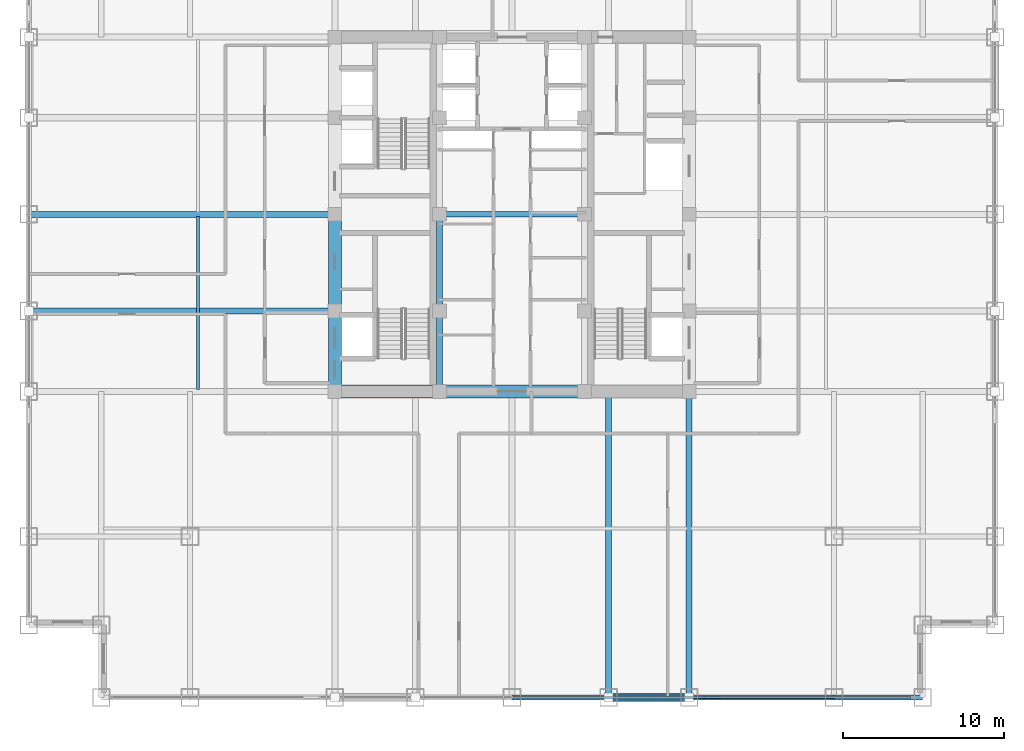
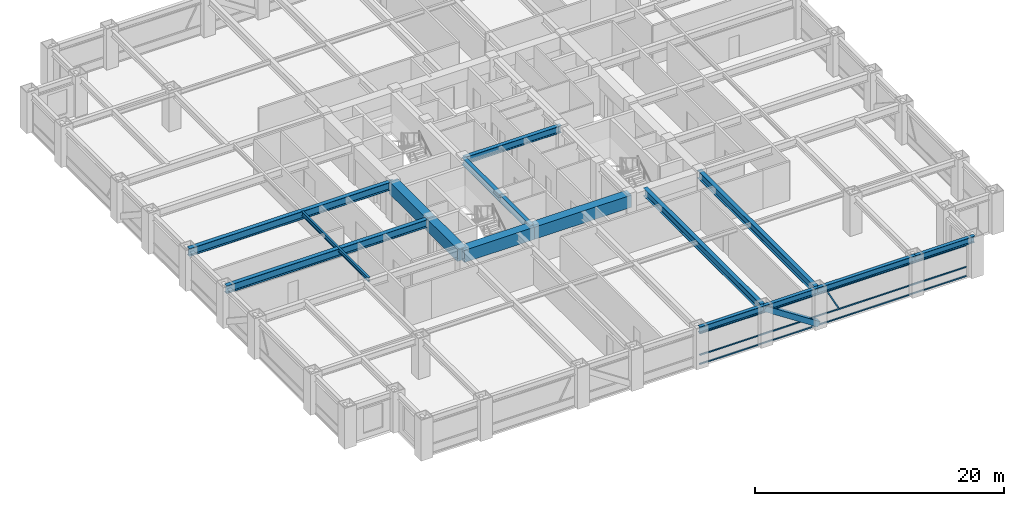
# One storey, part 7 of 24: 16 beams, 5 members, 1 element without a shape of its own.
"""IFC4 building model written with IfcOpenShell, lengths in metres."""

from ifc_helpers import new_model, si_unit, direction, frame, origin, origin_2d, place, context, subcontext, project, spatial, rectangle, hollow_rectangle, i_section, extrude, source, transform, mapped, material, material_profile, profile_set, type_object, element, aggregate, save


model = new_model("IFC4")

# Units and contexts
model_context = context("Model", 3, precision=1e-05, world=origin(), true_north=direction((0.0, 1.0)))
body_context = subcontext(model_context, "Body", "Model", "MODEL_VIEW")
ifc_project = project(units=[si_unit("LENGTHUNIT", "METRE"), si_unit("AREAUNIT", "SQUARE_METRE"), si_unit("VOLUMEUNIT", "CUBIC_METRE"), si_unit("PLANEANGLEUNIT", "RADIAN"), si_unit("MASSUNIT", "GRAM", prefix="KILO")], contexts=[model_context])

# Site, building, storey
site_placement = place(None, origin())
site = spatial("IfcSite", under=ifc_project, at=site_placement, CompositionType="ELEMENT")
building_placement = place(site_placement, origin())
building = spatial("IfcBuilding", under=site, at=building_placement, Name="Khorayat Bourse Tower", CompositionType="ELEMENT")
storey_placement = place(building_placement, frame((0.0, 0.0, 167.10009765625)))
storey = spatial("IfcBuildingStorey", under=building, at=storey_placement, Name="L38", CompositionType="ELEMENT", Elevation=167.10009765625)

# Beams
ifc_material_1 = material(Name="Concrete C72/90", Category="concrete")
ifc_material_profile_1 = material_profile(ifc_material_1, rectangle(XDim=0.800048828125, YDim=1.199951171875, at=origin_2d()), Name="RC 800x1200")
ifc_profile_set_1 = profile_set([ifc_material_profile_1], Name="Concrete C72/90")
beam_type_1 = type_object("IfcBeamType", Name="BM-COUP-1200", PredefinedType="BEAM", material=ifc_profile_set_1)
shared_shape_1 = source(origin(), body_context, "Body", "SweptSolid", [
    extrude(rectangle(XDim=0.800048828125, YDim=1.199951171875, at=origin_2d()), origin(), (0.0, 0.0, 1.0), 5.0),
])
beam_1_placement = place(storey_placement, frame((-11.0, -11.0, 3.179931640625), z_axis=(0.0, 1.0, 0.0), x_axis=(-1.0, 0.0, 0.0)))
element("IfcBeam", 1, at=beam_1_placement, inside=storey, type_object=beam_type_1, Name="L38 BM-COUP-1200 BM-L38-CRX-01", PredefinedType="BEAM", context=body_context, shape_type="MappedRepresentation", body=[
    mapped(shared_shape_1, transform((0.0, 0.0, 0.0), scale=1.0)),
])
shared_shape_2 = source(origin(), body_context, "Body", "SweptSolid", [
    extrude(rectangle(XDim=0.800048828125, YDim=1.199951171875, at=origin_2d()), origin(), (0.0, 0.0, 1.0), 6.0),
])
beam_2_placement = place(storey_placement, frame((-11.0, -6.0, 3.179931640625), z_axis=(0.0, 1.0, 0.0), x_axis=(-1.0, 0.0, 0.0)))
element("IfcBeam", 2, at=beam_2_placement, inside=storey, type_object=beam_type_1, Name="L38 BM-COUP-1200 BM-L38-CRX-02", PredefinedType="BEAM", context=body_context, shape_type="MappedRepresentation", body=[
    mapped(shared_shape_2, transform((0.0, 0.0, 0.0), scale=1.0)),
])
ifc_material_2 = material(Name="Steel ASTM A992 Grade 50", Category="steel")
ifc_material_profile_2 = material_profile(ifc_material_2, i_section(OverallWidth=0.35498046875, OverallDepth=0.695068359375, WebThickness=0.015380859375, FlangeThickness=0.02490234375, FilletRadius=0.01806640625, at=origin_2d()), Name="W690X217")
ifc_profile_set_2 = profile_set([ifc_material_profile_2], Name="Steel ASTM A992 Grade 50")
beam_type_2 = type_object("IfcBeamType", Name="BM-GIRD-690", PredefinedType="BEAM", material=ifc_profile_set_2)
shared_shape_3 = source(origin(), body_context, "Body", "SweptSolid", [
    extrude(i_section(OverallWidth=0.35498046875, OverallDepth=0.695068359375, WebThickness=0.015380859375, FlangeThickness=0.02490234375, FilletRadius=0.01806640625, at=origin_2d()), origin(), (0.0, 0.0, 1.0), 5.0),
])
beam_3_placement = place(storey_placement, frame((-4.5, -11.0, 3.432373046875), z_axis=(0.0, 1.0, 0.0), x_axis=(-1.0, 0.0, 0.0)))
element("IfcBeam", 3, at=beam_3_placement, inside=storey, type_object=beam_type_2, Name="L38 BM-GIRD-690 BM-L38-CRX-05", PredefinedType="BEAM", context=body_context, shape_type="MappedRepresentation", body=[
    mapped(shared_shape_3, transform((0.0, 0.0, 0.0), scale=1.0)),
])
shared_shape_4 = source(origin(), body_context, "Body", "SweptSolid", [
    extrude(i_section(OverallWidth=0.35498046875, OverallDepth=0.695068359375, WebThickness=0.015380859375, FlangeThickness=0.02490234375, FilletRadius=0.01806640625, at=origin_2d()), origin(), (0.0, 0.0, 1.0), 6.0),
])
beam_4_placement = place(storey_placement, frame((-4.5, -6.0, 3.432373046875), z_axis=(0.0, 1.0, 0.0), x_axis=(-1.0, 0.0, 0.0)))
element("IfcBeam", 4, at=beam_4_placement, inside=storey, type_object=beam_type_2, Name="L38 BM-GIRD-690 BM-L38-CRX-06", PredefinedType="BEAM", context=body_context, shape_type="MappedRepresentation", body=[
    mapped(shared_shape_4, transform((0.0, 0.0, 0.0), scale=1.0)),
])
shared_shape_5 = source(origin(), body_context, "Body", "SweptSolid", [
    extrude(rectangle(XDim=0.800048828125, YDim=1.199951171875, at=origin_2d()), origin(), (0.0, 0.0, 1.0), 6.5),
])
beam_5_placement = place(storey_placement, frame((-11.0, -11.0, 3.179931640625), z_axis=(1.0, 0.0, 0.0), x_axis=(0.0, 1.0, 0.0)))
element("IfcBeam", 5, at=beam_5_placement, inside=storey, type_object=beam_type_1, Name="L38 BM-COUP-1200 BM-L38-CRY-17", PredefinedType="BEAM", context=body_context, shape_type="MappedRepresentation", body=[
    mapped(shared_shape_5, transform((0.0, 0.0, 0.0), scale=1.0)),
])
shared_shape_6 = source(origin(), body_context, "Body", "SweptSolid", [
    extrude(rectangle(XDim=0.800048828125, YDim=1.199951171875, at=origin_2d()), origin(), (0.0, 0.0, 1.0), 9.0),
])
beam_6_placement = place(storey_placement, frame((-4.5, -11.0, 3.179931640625), z_axis=(1.0, 0.0, 0.0), x_axis=(0.0, 1.0, 0.0)))
element("IfcBeam", 6, at=beam_6_placement, inside=storey, type_object=beam_type_1, Name="L38 BM-COUP-1200 BM-L38-CRY-18", PredefinedType="BEAM", context=body_context, shape_type="MappedRepresentation", body=[
    mapped(shared_shape_6, transform((0.0, 0.0, 0.0), scale=1.0)),
])
shared_shape_7 = source(origin(), body_context, "Body", "SweptSolid", [
    extrude(i_section(OverallWidth=0.35498046875, OverallDepth=0.695068359375, WebThickness=0.015380859375, FlangeThickness=0.02490234375, FilletRadius=0.01806640625, at=origin_2d()), origin(), (0.0, 0.0, 1.0), 9.0),
])
beam_7_placement = place(storey_placement, frame((-4.5, 0.0, 3.432373046875), z_axis=(1.0, 0.0, 0.0), x_axis=(0.0, 1.0, 0.0)))
element("IfcBeam", 7, at=beam_7_placement, inside=storey, type_object=beam_type_2, Name="L38 BM-GIRD-690 BM-L38-CRY-23", PredefinedType="BEAM", context=body_context, shape_type="MappedRepresentation", body=[
    mapped(shared_shape_7, transform((0.0, 0.0, 0.0), scale=1.0)),
])
ifc_material_profile_3 = material_profile(ifc_material_2, i_section(OverallWidth=0.381103515625, OverallDepth=0.77294921875, WebThickness=0.0166015625, FlangeThickness=0.027587890625, FilletRadius=0.01806640625, at=origin_2d()), Name="W760X257")
ifc_profile_set_3 = profile_set([ifc_material_profile_3], Name="Steel ASTM A992 Grade 50")
beam_type_3 = type_object("IfcBeamType", Name="BM-GIRD-760", PredefinedType="BEAM", material=ifc_profile_set_3)
shared_shape_8 = source(origin(), body_context, "Body", "SweptSolid", [
    extrude(i_section(OverallWidth=0.381103515625, OverallDepth=0.77294921875, WebThickness=0.0166015625, FlangeThickness=0.027587890625, FilletRadius=0.01806640625, at=origin_2d()), origin(), (0.0, 0.0, 1.0), 19.0),
])
for number, where, z_axis, x_axis, name in (
    (8, (6.0, -30.0, 3.393310546875), (0.0, 1.0, 0.0), (-1.0, 0.0, 0.0), "L38 BM-GIRD-760 BM-L38-RADY-071"),
    (9, (11.0, -30.0, 3.393310546875), (0.0, 1.0, 0.0), (-1.0, 0.0, 0.0), "L38 BM-GIRD-760 BM-L38-RADY-073"),
    (10, (-30.0, -6.0, 3.393310546875), (1.0, 0.0, 0.0), (0.0, 1.0, 0.0), "L38 BM-GIRD-760 BM-L38-RADX-077"),
    (11, (-30.0, 0.0, 3.393310546875), (1.0, 0.0, 0.0), (0.0, 1.0, 0.0), "L38 BM-GIRD-760 BM-L38-RADX-079"),
):
    element("IfcBeam", number, at=place(storey_placement, frame(where, z_axis=z_axis, x_axis=x_axis)), inside=storey, type_object=beam_type_3, Name=name, PredefinedType="BEAM", context=body_context, shape_type="MappedRepresentation", body=[
        mapped(shared_shape_8, transform((0.0, 0.0, 0.0), scale=1.0)),
    ])
ifc_material_profile_4 = material_profile(ifc_material_2, i_section(OverallWidth=0.180908203125, OverallDepth=0.4169921875, WebThickness=0.010986328125, FlangeThickness=0.018310546875, FilletRadius=0.011962890625, at=origin_2d()), Name="W410X85")
ifc_profile_set_4 = profile_set([ifc_material_profile_4], Name="Steel ASTM A992 Grade 50")
beam_type_4 = type_object("IfcBeamType", Name="BM-JOIST-410", PredefinedType="JOIST", material=ifc_profile_set_4)
shared_shape_9 = source(origin(), body_context, "Body", "SweptSolid", [
    extrude(i_section(OverallWidth=0.180908203125, OverallDepth=0.4169921875, WebThickness=0.010986328125, FlangeThickness=0.018310546875, FilletRadius=0.011962890625, at=origin_2d()), origin(), (0.0, 0.0, 1.0), 10.740234375),
])
beam_8_placement = place(storey_placement, frame((-19.5, -10.8701171875, 3.5712890625), z_axis=(0.0, 1.0, 0.0), x_axis=(-1.0, 0.0, 0.0)))
element("IfcBeam", 12, at=beam_8_placement, inside=storey, type_object=beam_type_4, Name="L38 BM-JOIST-410 BM-L38-JSTY-102", PredefinedType="JOIST", context=body_context, shape_type="MappedRepresentation", body=[
    mapped(shared_shape_9, transform((0.0, 0.0, 0.0), scale=1.0)),
])
ifc_material_profile_5 = material_profile(ifc_material_2, i_section(OverallWidth=0.324951171875, OverallDepth=0.615966796875, WebThickness=0.013916015625, FlangeThickness=0.021484375, FilletRadius=0.01611328125, at=origin_2d()), Name="W610X174")
ifc_profile_set_5 = profile_set([ifc_material_profile_5], Name="Steel ASTM A992 Grade 50")
beam_type_5 = type_object("IfcBeamType", Name="BM-SPAN-610", PredefinedType="SPANDREL", material=ifc_profile_set_5)
shared_shape_10 = source(origin(), body_context, "Body", "SweptSolid", [
    extrude(i_section(OverallWidth=0.324951171875, OverallDepth=0.615966796875, WebThickness=0.013916015625, FlangeThickness=0.021484375, FilletRadius=0.01611328125, at=origin_2d()), origin(), (0.0, 0.0, 1.0), 5.5),
])
beam_9_placement = place(storey_placement, frame((20.0, -30.0, 3.471923828125), z_axis=(1.0, 0.0, 0.0), x_axis=(0.0, 1.0, 0.0)))
element("IfcBeam", 13, at=beam_9_placement, inside=storey, type_object=beam_type_5, Name="L38 BM-SPAN-610 BM-L38-SPN-031", PredefinedType="SPANDREL", context=body_context, shape_type="MappedRepresentation", body=[
    mapped(shared_shape_10, transform((0.0, 0.0, 0.0), scale=1.0)),
])
shared_shape_11 = source(origin(), body_context, "Body", "SweptSolid", [
    extrude(i_section(OverallWidth=0.324951171875, OverallDepth=0.615966796875, WebThickness=0.013916015625, FlangeThickness=0.021484375, FilletRadius=0.01611328125, at=origin_2d()), origin(), (0.0, 0.0, 1.0), 9.0),
])
beam_10_placement = place(storey_placement, frame((11.0, -30.0, 3.471923828125), z_axis=(1.0, 0.0, 0.0), x_axis=(0.0, 1.0, 0.0)))
element("IfcBeam", 14, at=beam_10_placement, inside=storey, type_object=beam_type_5, Name="L38 BM-SPAN-610 BM-L38-SPN-030", PredefinedType="SPANDREL", context=body_context, shape_type="MappedRepresentation", body=[
    mapped(shared_shape_11, transform((0.0, 0.0, 0.0), scale=1.0)),
])
shared_shape_12 = source(origin(), body_context, "Body", "SweptSolid", [
    extrude(i_section(OverallWidth=0.324951171875, OverallDepth=0.615966796875, WebThickness=0.013916015625, FlangeThickness=0.021484375, FilletRadius=0.01611328125, at=origin_2d()), origin(), (0.0, 0.0, 1.0), 5.0),
])
beam_11_placement = place(storey_placement, frame((6.0, -30.0, 3.471923828125), z_axis=(1.0, 0.0, 0.0), x_axis=(0.0, 1.0, 0.0)))
element("IfcBeam", 15, at=beam_11_placement, inside=storey, type_object=beam_type_5, Name="L38 BM-SPAN-610 BM-L38-SPN-029", PredefinedType="SPANDREL", context=body_context, shape_type="MappedRepresentation", body=[
    mapped(shared_shape_12, transform((0.0, 0.0, 0.0), scale=1.0)),
])
shared_shape_13 = source(origin(), body_context, "Body", "SweptSolid", [
    extrude(i_section(OverallWidth=0.324951171875, OverallDepth=0.615966796875, WebThickness=0.013916015625, FlangeThickness=0.021484375, FilletRadius=0.01611328125, at=origin_2d()), origin(), (0.0, 0.0, 1.0), 6.0),
])
beam_12_placement = place(storey_placement, frame((0.0, -30.0, 3.471923828125), z_axis=(1.0, 0.0, 0.0), x_axis=(0.0, 1.0, 0.0)))
element("IfcBeam", 16, at=beam_12_placement, inside=storey, type_object=beam_type_5, Name="L38 BM-SPAN-610 BM-L38-SPN-028", PredefinedType="SPANDREL", context=body_context, shape_type="MappedRepresentation", body=[
    mapped(shared_shape_13, transform((0.0, 0.0, 0.0), scale=1.0)),
])

# Member
ifc_material_3 = material(Name="Steel EN 10025-4 S460M", Category="steel")
ifc_material_profile_6 = material_profile(ifc_material_3, hollow_rectangle(XDim=0.5, YDim=0.5, WallThickness=0.028076171875, at=origin_2d()), Name="HSS 500x500x28")
ifc_profile_set_6 = profile_set([ifc_material_profile_6], Name="Steel EN 10025-4 S460M")
member_type_1 = type_object("IfcMemberType", Name="MBR-TUBE-500", PredefinedType="BRACE", material=ifc_profile_set_6)
shared_shape_14 = source(origin(), body_context, "Body", "SweptSolid", [
    extrude(hollow_rectangle(XDim=0.5, YDim=0.5, WallThickness=0.028076171875, at=origin_2d()), origin(), (0.0, 0.0, 1.0), 5.979736328125),
])
member_1_placement = place(storey_placement, frame((6.0, -30.0, 3.52978515625), z_axis=(0.836160261256, 0.0, -0.548485202623), x_axis=(0.0, 1.0, 0.0)))
element("IfcMember", 17, at=member_1_placement, inside=storey, type_object=member_type_1, Name="L38 Perimeter Tube Brace 02", PredefinedType="BRACE", context=body_context, shape_type="MappedRepresentation", body=[
    mapped(shared_shape_14, transform((0.0, 0.0, 0.0), scale=1.0)),
])

# Curtain wall, members
ifc_material_4 = material(Name="Aluminium EN AW-6063 T6", Category="aluminium")
curtain_wall_type = type_object("IfcCurtainWallType", Name="CW-SYS-03", PredefinedType="NOTDEFINED", material=ifc_material_4)
curtain_wall_placement = place(storey_placement, origin())
curtain_wall = element("IfcCurtainWall", 18, at=curtain_wall_placement, inside=storey, type_object=curtain_wall_type, Name="L38 Curtain Wall CW-L38-S1", PredefinedType="NOTDEFINED")
ifc_material_profile_7 = material_profile(ifc_material_4, hollow_rectangle(XDim=0.1201171875, YDim=0.1201171875, WallThickness=0.0048828125, at=origin_2d()), Name="ALU 120x120x5")
ifc_profile_set_7 = profile_set([ifc_material_profile_7], Name="Aluminium EN AW-6063 T6")
member_type_2 = type_object("IfcMemberType", Name="CWM-DIAG-120", PredefinedType="MULLION", material=ifc_profile_set_7)
shared_shape_15 = source(origin(), body_context, "Body", "SweptSolid", [
    extrude(hollow_rectangle(XDim=0.1201171875, YDim=0.1201171875, WallThickness=0.0048828125, at=origin_2d()), origin(), (0.0, 0.0, 1.0), 2.079345703125),
])
member_2_placement = place(storey_placement, frame((12.904296875, -30.0, 1.08984375), z_axis=(-0.465760949701, 0.0, 0.884910581773), x_axis=(0.0, -1.0, 0.0)))
member_2 = element("IfcMember", 19, at=member_2_placement, type_object=member_type_2, Name="CW-L38-S1 Faceted Diagonal Mullion 2", PredefinedType="MULLION", context=body_context, shape_type="MappedRepresentation", body=[
    mapped(shared_shape_15, transform((0.0, 0.0, 0.0), scale=1.0)),
])
ifc_material_profile_8 = material_profile(ifc_material_4, hollow_rectangle(XDim=0.1201171875, YDim=0.1201171875, WallThickness=0.0048828125, at=origin_2d()), Name="ALU 120x120x5")
ifc_profile_set_8 = profile_set([ifc_material_profile_8], Name="Aluminium EN AW-6063 T6")
member_type_3 = type_object("IfcMemberType", Name="CWT-HORZ-120", PredefinedType="USERDEFINED", material=ifc_profile_set_8)
shared_shape_16 = source(origin(), body_context, "Body", "SweptSolid", [
    extrude(hollow_rectangle(XDim=0.1201171875, YDim=0.1201171875, WallThickness=0.0048828125, at=origin_2d()), origin(), (0.0, 0.0, 1.0), 24.719970703125),
])
member_3_placement = place(storey_placement, frame((0.06005859375, -30.0, 0.059814453125), z_axis=(1.0, 0.0, 0.0), x_axis=(0.0, 1.0, 0.0)))
member_3 = element("IfcMember", 20, at=member_3_placement, type_object=member_type_3, Name="CW-L38-S1 Horizontal Transom 2-1", ObjectType="TRANSOM", PredefinedType="USERDEFINED", context=body_context, shape_type="MappedRepresentation", body=[
    mapped(shared_shape_16, transform((0.0, 0.0, 0.0), scale=1.0)),
])
member_4_placement = place(storey_placement, frame((0.06005859375, -30.0, 0.949951171875), z_axis=(1.0, 0.0, 0.0), x_axis=(0.0, 1.0, 0.0)))
member_4 = element("IfcMember", 21, at=member_4_placement, type_object=member_type_3, Name="CW-L38-S1 Horizontal Transom 2-2", ObjectType="TRANSOM", PredefinedType="USERDEFINED", context=body_context, shape_type="MappedRepresentation", body=[
    mapped(shared_shape_16, transform((0.0, 0.0, 0.0), scale=1.0)),
])
member_5_placement = place(storey_placement, frame((0.06005859375, -30.0, 3.06982421875), z_axis=(1.0, 0.0, 0.0), x_axis=(0.0, 1.0, 0.0)))
member_5 = element("IfcMember", 22, at=member_5_placement, type_object=member_type_3, Name="CW-L38-S1 Horizontal Transom 2-3", ObjectType="TRANSOM", PredefinedType="USERDEFINED", context=body_context, shape_type="MappedRepresentation", body=[
    mapped(shared_shape_16, transform((0.0, 0.0, 0.0), scale=1.0)),
])
aggregate(curtain_wall, [member_3, member_4, member_5, member_2])

save(model, "model.ifc")
